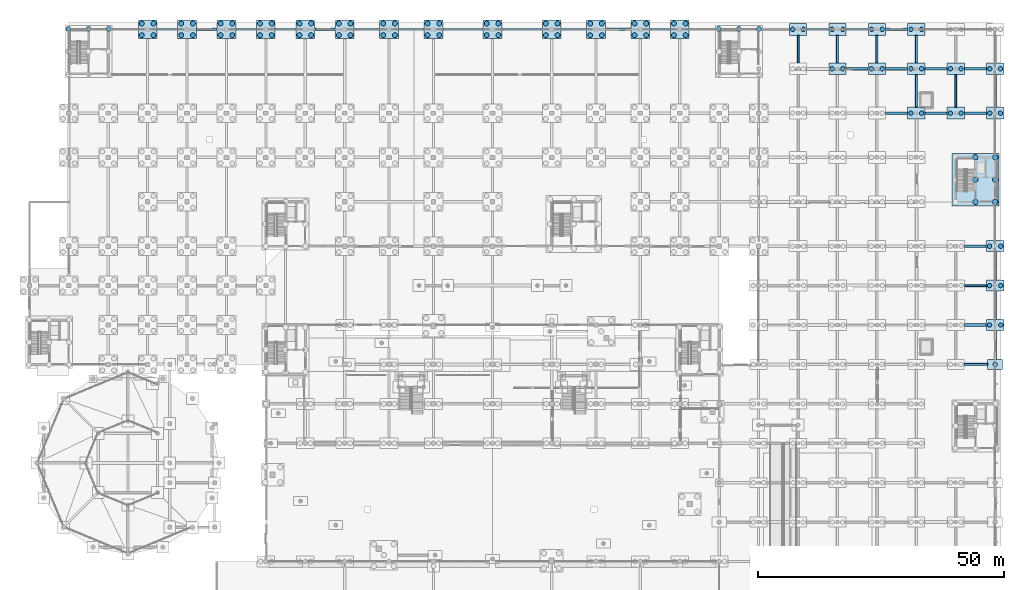
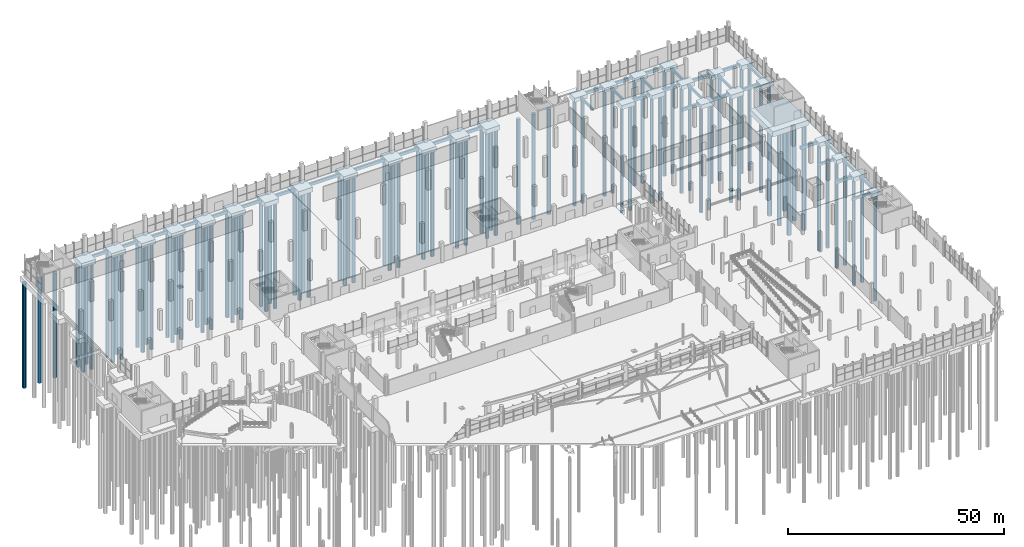
# One storey, part 11 of 98: 95 piles, 66 footings.
"""IFC4 building model written with IfcOpenShell, lengths in metres."""

from ifc_helpers import new_model, si_unit, derived_unit, direction, frame, origin, origin_2d, place, context, subcontext, project, spatial, rectangle, circle, extrude, material, layer, layer_set, material_profile, profile_set, type_object, element, save


model = new_model("IFC4")

# Units and contexts
model_context = context("Model", 3, precision=1e-05, world=origin(), true_north=direction((0.0, 1.0)))
body_context = subcontext(model_context, "Body", "Model", "MODEL_VIEW")
ifc_project = project(units=[si_unit("LENGTHUNIT", "METRE"), si_unit("AREAUNIT", "SQUARE_METRE"), si_unit("VOLUMEUNIT", "CUBIC_METRE"), si_unit("PLANEANGLEUNIT", "RADIAN"), si_unit("MASSUNIT", "GRAM", prefix="KILO"), si_unit("THERMODYNAMICTEMPERATUREUNIT", "KELVIN"), derived_unit("THERMALTRANSMITTANCEUNIT", [(si_unit("POWERUNIT", "WATT"), 1), (si_unit("AREAUNIT", "SQUARE_METRE"), -1), (si_unit("THERMODYNAMICTEMPERATUREUNIT", "KELVIN"), -1)])], contexts=[model_context])

# Site, building, storey
site_placement = place(None, origin())
site = spatial("IfcSite", under=ifc_project, at=site_placement, CompositionType="ELEMENT")
building_placement = place(site_placement, origin())
building = spatial("IfcBuilding", under=site, at=building_placement, Name="Haiyu Intermodal Mobility Hub", CompositionType="ELEMENT")
storey_placement = place(building_placement, origin())
storey = spatial("IfcBuildingStorey", under=building, at=storey_placement, Name="L00", CompositionType="ELEMENT", Elevation=0.0)

# Footings
ifc_material = material(Name="Concrete C40", Category="concrete")
ifc_layer_1 = layer(ifc_material, 1.300048828125)
ifc_layer_set_1 = layer_set([ifc_layer_1], Name="Concrete C40")
footing_type_1 = type_object("IfcFootingType", Name="CAP-PC03", PredefinedType="PILE_CAP", material=ifc_layer_set_1)
for number, where, z_axis, x_axis, name in (
    (1, (38.0, 148.0, -2.2001953125), (0.0, 0.0, 1.0), (1.0, 0.0, 0.0), "Pile Cap CAP-V4-4S"),
    (2, (46.0, 148.0, -2.2001953125), (0.0, 0.0, 1.0), (1.0, 0.0, 0.0), "Pile Cap CAP-V4-5S"),
    (3, (54.0, 148.0, -2.2001953125), (0.0, 0.0, 1.0), (1.0, 0.0, 0.0), "Pile Cap CAP-V4-6S"),
    (4, (62.0, 148.0, -2.2001953125), (0.0, 0.0, 1.0), (1.0, 0.0, 0.0), "Pile Cap CAP-V4-7S"),
    (5, (70.0, 148.0, -2.2001953125), (0.0, 0.0, 1.0), (1.0, 0.0, 0.0), "Pile Cap CAP-V4-8S"),
    (6, (78.0, 148.0, -2.2001953125), (0.0, 0.0, 1.0), (1.0, 0.0, 0.0), "Pile Cap CAP-V4-9S"),
    (7, (87.0, 148.0, -2.2001953125), (0.0, 0.0, 1.0), (1.0, 0.0, 0.0), "Pile Cap CAP-V4-10S"),
    (8, (96.0, 148.0, -2.2001953125), (0.0, 0.0, 1.0), (1.0, 0.0, 0.0), "Pile Cap CAP-V4-11S"),
    (9, (108.0, 148.0, -2.2001953125), (0.0, 0.0, 1.0), (1.0, 0.0, 0.0), "Pile Cap CAP-V4-12S"),
    (10, (120.0, 148.0, -2.2001953125), (0.0, 0.0, 1.0), (1.0, 0.0, 0.0), "Pile Cap CAP-V4-13S"),
    (11, (129.0, 148.0, -2.2001953125), (0.0, 0.0, 1.0), (1.0, 0.0, 0.0), "Pile Cap CAP-V4-14S"),
    (12, (138.0, 148.0, -2.2001953125), (0.0, 0.0, 1.0), (1.0, 0.0, 0.0), "Pile Cap CAP-V4-15S"),
    (13, (146.0, 148.0, -2.2001953125), (0.0, 0.0, 1.0), (1.0, 0.0, 0.0), "Pile Cap CAP-V4-16S"),
):
    element("IfcFooting", number, at=place(storey_placement, frame(where, z_axis=z_axis, x_axis=x_axis)), inside=storey, type_object=footing_type_1, Name=name, PredefinedType="PILE_CAP", context=body_context, shape_type="SweptSolid", body=[
        extrude(rectangle(XDim=3.800048828125, YDim=3.800048828125, at=origin_2d()), origin(), (0.0, 0.0, 1.0), 1.300048828125),
    ])
ifc_layer_2 = layer(ifc_material, 1.199951171875)
ifc_layer_set_2 = layer_set([ifc_layer_2], Name="Concrete C40")
footing_type_2 = type_object("IfcFootingType", Name="CAP-PC04", PredefinedType="PILE_CAP", material=ifc_layer_set_2)
for number, where, z_axis, x_axis, name in (
    (14, (210.0, 88.0, -2.10009765625), (0.0, 0.0, 1.0), (1.0, 0.0, 0.0), "Pile Cap CAP-V6-24K"),
    (15, (210.0, 96.0, -2.10009765625), (0.0, 0.0, 1.0), (1.0, 0.0, 0.0), "Pile Cap CAP-V6-24L"),
    (16, (210.0, 104.0, -2.10009765625), (0.0, 0.0, 1.0), (1.0, 0.0, 0.0), "Pile Cap CAP-V6-24M"),
):
    element("IfcFooting", number, at=place(storey_placement, frame(where, z_axis=z_axis, x_axis=x_axis)), inside=storey, type_object=footing_type_2, Name=name, PredefinedType="PILE_CAP", context=body_context, shape_type="SweptSolid", body=[
        extrude(rectangle(XDim=3.60009765625, YDim=2.199951171875, at=origin_2d()), origin(), (0.0, 0.0, 1.0), 1.199951171875),
    ])
ifc_layer_3 = layer(ifc_material, 1.199951171875)
ifc_layer_set_3 = layer_set([ifc_layer_3], Name="Concrete C40")
footing_type_3 = type_object("IfcFootingType", Name="CAP-PC12", PredefinedType="PILE_CAP", material=ifc_layer_set_3)
for number, where, z_axis, x_axis, name in (
    (17, (170.0, 148.0, -2.10009765625), (0.0, 0.0, 1.0), (1.0, 0.0, 0.0), "Pile Cap CAP-V6-19S"),
    (18, (178.0, 140.0, -2.10009765625), (0.0, 0.0, 1.0), (1.0, 0.0, 0.0), "Pile Cap CAP-V6-20R"),
    (19, (178.0, 148.0, -2.10009765625), (0.0, 0.0, 1.0), (1.0, 0.0, 0.0), "Pile Cap CAP-V6-20S"),
    (20, (186.0, 140.0, -2.10009765625), (0.0, 0.0, 1.0), (1.0, 0.0, 0.0), "Pile Cap CAP-V6-21R"),
    (21, (186.0, 148.0, -2.10009765625), (0.0, 0.0, 1.0), (1.0, 0.0, 0.0), "Pile Cap CAP-V6-21S"),
    (22, (194.0, 131.0, -2.10009765625), (0.0, 0.0, 1.0), (1.0, 0.0, 0.0), "Pile Cap CAP-V6-22Q"),
    (23, (194.0, 140.0, -2.10009765625), (0.0, 0.0, 1.0), (1.0, 0.0, 0.0), "Pile Cap CAP-V6-22R"),
    (24, (194.0, 148.0, -2.10009765625), (0.0, 0.0, 1.0), (1.0, 0.0, 0.0), "Pile Cap CAP-V6-22S"),
    (25, (202.0, 131.0, -2.10009765625), (0.0, 0.0, 1.0), (1.0, 0.0, 0.0), "Pile Cap CAP-V6-23Q"),
    (26, (202.0, 140.0, -2.10009765625), (0.0, 0.0, 1.0), (1.0, 0.0, 0.0), "Pile Cap CAP-V6-23R"),
    (27, (210.0, 131.0, -2.10009765625), (0.0, 0.0, 1.0), (1.0, 0.0, 0.0), "Pile Cap CAP-V6-24Q"),
    (28, (210.0, 140.0, -2.10009765625), (0.0, 0.0, 1.0), (1.0, 0.0, 0.0), "Pile Cap CAP-V6-24R"),
):
    element("IfcFooting", number, at=place(storey_placement, frame(where, z_axis=z_axis, x_axis=x_axis)), inside=storey, type_object=footing_type_3, Name=name, PredefinedType="PILE_CAP", context=body_context, shape_type="SweptSolid", body=[
        extrude(rectangle(XDim=3.5, YDim=2.39990234375, at=origin_2d()), origin(), (0.0, 0.0, 1.0), 1.199951171875),
    ])
ifc_layer_4 = layer(ifc_material, 1.10009765625)
ifc_layer_set_4 = layer_set([ifc_layer_4], Name="Concrete C40")
footing_type_4 = type_object("IfcFootingType", Name="CAP-PC14", PredefinedType="PILE_CAP", material=ifc_layer_set_4)
footing_1_placement = place(storey_placement, frame((210.0, 80.0, -2.0), z_axis=(0.0, 0.0, 1.0), x_axis=(1.0, 0.0, 0.0)))
element("IfcFooting", 29, at=footing_1_placement, inside=storey, type_object=footing_type_4, Name="Pile Cap CAP-V5-24J", PredefinedType="PILE_CAP", context=body_context, shape_type="SweptSolid", body=[
    extrude(rectangle(XDim=3.0, YDim=2.0, at=origin_2d()), origin(), (0.0, 0.0, 1.0), 1.10009765625),
])
ifc_layer_5 = layer(ifc_material, 1.5)
ifc_layer_set_5 = layer_set([ifc_layer_5], Name="Concrete C40")
footing_type_5 = type_object("IfcFootingType", Name="CAP-PC16", PredefinedType="PILE_CAP", material=ifc_layer_set_5)
footing_2_placement = place(storey_placement, frame((206.0, 117.5, -2.39990234375), z_axis=(0.0, 0.0, 1.0), x_axis=(1.0, 0.0, 0.0)))
element("IfcFooting", 30, at=footing_2_placement, inside=storey, type_object=footing_type_5, Name="Pile Cap CAP-CORE-C10", PredefinedType="PILE_CAP", context=body_context, shape_type="SweptSolid", body=[
    extrude(rectangle(XDim=9.60009765625, YDim=10.60009765625, at=origin_2d()), origin(), (0.0, 0.0, 1.0), 1.5),
])
ifc_material_profile_1 = material_profile(ifc_material, rectangle(XDim=0.5, YDim=0.85009765625, at=origin_2d()), Name="FB500x850")
ifc_profile_set_1 = profile_set([ifc_material_profile_1], Name="Concrete C40")
footing_type_6 = type_object("IfcFootingType", Name="FBM-FB01", PredefinedType="FOOTING_BEAM", material=ifc_profile_set_1)
footing_3_placement = place(storey_placement, frame((203.830078125, 104.0, -1.324951171875), z_axis=(1.0, 0.0, 0.0), x_axis=(0.0, 1.0, 0.0)))
element("IfcFooting", 31, at=footing_3_placement, inside=storey, type_object=footing_type_6, Name="Foundation Tie Beam FBM-X-155", PredefinedType="FOOTING_BEAM", context=body_context, shape_type="SweptSolid", body=[
    extrude(rectangle(XDim=0.5, YDim=0.85009765625, at=origin_2d()), origin(), (0.0, 0.0, 1.0), 4.33984375),
])
for number, where, z_axis, x_axis, name in (
    (32, (187.780029296875, 131.0, -1.324951171875), (1.0, 0.0, 0.0), (0.0, 1.0, 0.0), "Foundation Tie Beam FBM-X-204"),
    (33, (195.780029296875, 131.0, -1.324951171875), (1.0, 0.0, 0.0), (0.0, 1.0, 0.0), "Foundation Tie Beam FBM-X-205"),
    (34, (203.780029296875, 131.0, -1.324951171875), (1.0, 0.0, 0.0), (0.0, 1.0, 0.0), "Foundation Tie Beam FBM-X-206"),
    (35, (179.780029296875, 140.0, -1.324951171875), (1.0, 0.0, 0.0), (0.0, 1.0, 0.0), "Foundation Tie Beam FBM-X-208"),
    (36, (187.780029296875, 140.0, -1.324951171875), (1.0, 0.0, 0.0), (0.0, 1.0, 0.0), "Foundation Tie Beam FBM-X-209"),
    (37, (195.780029296875, 140.0, -1.324951171875), (1.0, 0.0, 0.0), (0.0, 1.0, 0.0), "Foundation Tie Beam FBM-X-210"),
    (38, (203.780029296875, 140.0, -1.324951171875), (1.0, 0.0, 0.0), (0.0, 1.0, 0.0), "Foundation Tie Beam FBM-X-211"),
):
    element("IfcFooting", number, at=place(storey_placement, frame(where, z_axis=z_axis, x_axis=x_axis)), inside=storey, type_object=footing_type_6, Name=name, PredefinedType="FOOTING_BEAM", context=body_context, shape_type="SweptSolid", body=[
        extrude(rectangle(XDim=0.5, YDim=0.85009765625, at=origin_2d()), origin(), (0.0, 0.0, 1.0), 4.43994140625),
    ])
for number, where, z_axis, x_axis, name in (
    (39, (39.929931640625, 148.0, -1.324951171875), (1.0, 0.0, 0.0), (0.0, 1.0, 0.0), "Foundation Tie Beam FBM-X-212"),
    (40, (47.929931640625, 148.0, -1.324951171875), (1.0, 0.0, 0.0), (0.0, 1.0, 0.0), "Foundation Tie Beam FBM-X-213"),
    (41, (55.929931640625, 148.0, -1.324951171875), (1.0, 0.0, 0.0), (0.0, 1.0, 0.0), "Foundation Tie Beam FBM-X-214"),
    (42, (63.929931640625, 148.0, -1.324951171875), (1.0, 0.0, 0.0), (0.0, 1.0, 0.0), "Foundation Tie Beam FBM-X-215"),
    (43, (71.929931640625, 148.0, -1.324951171875), (1.0, 0.0, 0.0), (0.0, 1.0, 0.0), "Foundation Tie Beam FBM-X-216"),
):
    element("IfcFooting", number, at=place(storey_placement, frame(where, z_axis=z_axis, x_axis=x_axis)), inside=storey, type_object=footing_type_6, Name=name, PredefinedType="FOOTING_BEAM", context=body_context, shape_type="SweptSolid", body=[
        extrude(rectangle(XDim=0.5, YDim=0.85009765625, at=origin_2d()), origin(), (0.0, 0.0, 1.0), 4.14013671875),
    ])
for number, where, z_axis, x_axis, name in (
    (44, (79.929931640625, 148.0, -1.324951171875), (1.0, 0.0, 0.0), (0.0, 1.0, 0.0), "Foundation Tie Beam FBM-X-217"),
    (45, (88.929931640625, 148.0, -1.324951171875), (1.0, 0.0, 0.0), (0.0, 1.0, 0.0), "Foundation Tie Beam FBM-X-218"),
):
    element("IfcFooting", number, at=place(storey_placement, frame(where, z_axis=z_axis, x_axis=x_axis)), inside=storey, type_object=footing_type_6, Name=name, PredefinedType="FOOTING_BEAM", context=body_context, shape_type="SweptSolid", body=[
        extrude(rectangle(XDim=0.5, YDim=0.85009765625, at=origin_2d()), origin(), (0.0, 0.0, 1.0), 5.14013671875),
    ])
for number, where, z_axis, x_axis, name in (
    (46, (97.929931640625, 148.0, -1.324951171875), (1.0, 0.0, 0.0), (0.0, 1.0, 0.0), "Foundation Tie Beam FBM-X-219"),
    (47, (109.929931640625, 148.0, -1.324951171875), (1.0, 0.0, 0.0), (0.0, 1.0, 0.0), "Foundation Tie Beam FBM-X-220"),
):
    element("IfcFooting", number, at=place(storey_placement, frame(where, z_axis=z_axis, x_axis=x_axis)), inside=storey, type_object=footing_type_6, Name=name, PredefinedType="FOOTING_BEAM", context=body_context, shape_type="SweptSolid", body=[
        extrude(rectangle(XDim=0.5, YDim=0.85009765625, at=origin_2d()), origin(), (0.0, 0.0, 1.0), 8.14013671875),
    ])
for number, where, z_axis, x_axis, name in (
    (48, (121.929931640625, 148.0, -1.324951171875), (1.0, 0.0, 0.0), (0.0, 1.0, 0.0), "Foundation Tie Beam FBM-X-221"),
    (49, (130.929931640625, 148.0, -1.324951171875), (1.0, 0.0, 0.0), (0.0, 1.0, 0.0), "Foundation Tie Beam FBM-X-222"),
):
    element("IfcFooting", number, at=place(storey_placement, frame(where, z_axis=z_axis, x_axis=x_axis)), inside=storey, type_object=footing_type_6, Name=name, PredefinedType="FOOTING_BEAM", context=body_context, shape_type="SweptSolid", body=[
        extrude(rectangle(XDim=0.5, YDim=0.85009765625, at=origin_2d()), origin(), (0.0, 0.0, 1.0), 5.14013671875),
    ])
footing_4_placement = place(storey_placement, frame((139.929931640625, 148.0, -1.324951171875), z_axis=(1.0, 0.0, 0.0), x_axis=(0.0, 1.0, 0.0)))
element("IfcFooting", 50, at=footing_4_placement, inside=storey, type_object=footing_type_6, Name="Foundation Tie Beam FBM-X-223", PredefinedType="FOOTING_BEAM", context=body_context, shape_type="SweptSolid", body=[
    extrude(rectangle(XDim=0.5, YDim=0.85009765625, at=origin_2d()), origin(), (0.0, 0.0, 1.0), 4.14013671875),
])
for number, where, z_axis, x_axis, name in (
    (51, (171.780029296875, 148.0, -1.324951171875), (1.0, 0.0, 0.0), (0.0, 1.0, 0.0), "Foundation Tie Beam FBM-X-224"),
    (52, (179.780029296875, 148.0, -1.324951171875), (1.0, 0.0, 0.0), (0.0, 1.0, 0.0), "Foundation Tie Beam FBM-X-225"),
    (53, (187.780029296875, 148.0, -1.324951171875), (1.0, 0.0, 0.0), (0.0, 1.0, 0.0), "Foundation Tie Beam FBM-X-226"),
):
    element("IfcFooting", number, at=place(storey_placement, frame(where, z_axis=z_axis, x_axis=x_axis)), inside=storey, type_object=footing_type_6, Name=name, PredefinedType="FOOTING_BEAM", context=body_context, shape_type="SweptSolid", body=[
        extrude(rectangle(XDim=0.5, YDim=0.85009765625, at=origin_2d()), origin(), (0.0, 0.0, 1.0), 4.43994140625),
    ])
ifc_material_profile_2 = material_profile(ifc_material, rectangle(XDim=0.39990234375, YDim=0.699951171875, at=origin_2d()), Name="FB400x700")
ifc_profile_set_2 = profile_set([ifc_material_profile_2], Name="Concrete C40")
footing_type_7 = type_object("IfcFootingType", Name="FBM-FB03", PredefinedType="FOOTING_BEAM", material=ifc_profile_set_2)
footing_5_placement = place(storey_placement, frame((203.72998046875, 80.0, -1.25), z_axis=(1.0, 0.0, 0.0), x_axis=(0.0, 1.0, 0.0)))
element("IfcFooting", 54, at=footing_5_placement, inside=storey, type_object=footing_type_7, Name="Foundation Tie Beam FBM-X-113", PredefinedType="FOOTING_BEAM", context=body_context, shape_type="SweptSolid", body=[
    extrude(rectangle(XDim=0.39990234375, YDim=0.699951171875, at=origin_2d()), origin(), (0.0, 0.0, 1.0), 4.739990234375),
])
footing_6_placement = place(storey_placement, frame((203.830078125, 96.0, -1.25), z_axis=(1.0, 0.0, 0.0), x_axis=(0.0, 1.0, 0.0)))
element("IfcFooting", 55, at=footing_6_placement, inside=storey, type_object=footing_type_7, Name="Foundation Tie Beam FBM-X-139", PredefinedType="FOOTING_BEAM", context=body_context, shape_type="SweptSolid", body=[
    extrude(rectangle(XDim=0.39990234375, YDim=0.699951171875, at=origin_2d()), origin(), (0.0, 0.0, 1.0), 4.33984375),
])
for number, where, z_axis, x_axis, name in (
    (56, (170.0, 141.22998046875, -1.25), (0.0, 1.0, 0.0), (-1.0, 0.0, 0.0), "Foundation Tie Beam FBM-Y-379"),
    (57, (178.0, 141.22998046875, -1.25), (0.0, 1.0, 0.0), (-1.0, 0.0, 0.0), "Foundation Tie Beam FBM-Y-395"),
    (58, (186.0, 141.22998046875, -1.25), (0.0, 1.0, 0.0), (-1.0, 0.0, 0.0), "Foundation Tie Beam FBM-Y-411"),
):
    element("IfcFooting", number, at=place(storey_placement, frame(where, z_axis=z_axis, x_axis=x_axis)), inside=storey, type_object=footing_type_7, Name=name, PredefinedType="FOOTING_BEAM", context=body_context, shape_type="SweptSolid", body=[
        extrude(rectangle(XDim=0.39990234375, YDim=0.699951171875, at=origin_2d()), origin(), (0.0, 0.0, 1.0), 5.5400390625),
    ])
footing_7_placement = place(storey_placement, frame((194.0, 132.22998046875, -1.25), z_axis=(0.0, 1.0, 0.0), x_axis=(-1.0, 0.0, 0.0)))
element("IfcFooting", 59, at=footing_7_placement, inside=storey, type_object=footing_type_7, Name="Foundation Tie Beam FBM-Y-426", PredefinedType="FOOTING_BEAM", context=body_context, shape_type="SweptSolid", body=[
    extrude(rectangle(XDim=0.39990234375, YDim=0.699951171875, at=origin_2d()), origin(), (0.0, 0.0, 1.0), 6.5400390625),
])
footing_8_placement = place(storey_placement, frame((194.0, 141.22998046875, -1.25), z_axis=(0.0, 1.0, 0.0), x_axis=(-1.0, 0.0, 0.0)))
element("IfcFooting", 60, at=footing_8_placement, inside=storey, type_object=footing_type_7, Name="Foundation Tie Beam FBM-Y-427", PredefinedType="FOOTING_BEAM", context=body_context, shape_type="SweptSolid", body=[
    extrude(rectangle(XDim=0.39990234375, YDim=0.699951171875, at=origin_2d()), origin(), (0.0, 0.0, 1.0), 5.5400390625),
])
footing_9_placement = place(storey_placement, frame((202.0, 132.22998046875, -1.25), z_axis=(0.0, 1.0, 0.0), x_axis=(-1.0, 0.0, 0.0)))
element("IfcFooting", 61, at=footing_9_placement, inside=storey, type_object=footing_type_7, Name="Foundation Tie Beam FBM-Y-436", PredefinedType="FOOTING_BEAM", context=body_context, shape_type="SweptSolid", body=[
    extrude(rectangle(XDim=0.39990234375, YDim=0.699951171875, at=origin_2d()), origin(), (0.0, 0.0, 1.0), 6.5400390625),
])
footing_10_placement = place(storey_placement, frame((210.0, 81.030029296875, -1.25), z_axis=(0.0, 1.0, 0.0), x_axis=(-1.0, 0.0, 0.0)))
element("IfcFooting", 62, at=footing_10_placement, inside=storey, type_object=footing_type_7, Name="Foundation Tie Beam FBM-Y-442", PredefinedType="FOOTING_BEAM", context=body_context, shape_type="SweptSolid", body=[
    extrude(rectangle(XDim=0.39990234375, YDim=0.699951171875, at=origin_2d()), origin(), (0.0, 0.0, 1.0), 5.840087890625),
])
for number, where, z_axis, x_axis, name in (
    (63, (210.0, 89.1298828125, -1.25), (0.0, 1.0, 0.0), (-1.0, 0.0, 0.0), "Foundation Tie Beam FBM-Y-443"),
    (64, (210.0, 97.1298828125, -1.25), (0.0, 1.0, 0.0), (-1.0, 0.0, 0.0), "Foundation Tie Beam FBM-Y-444"),
):
    element("IfcFooting", number, at=place(storey_placement, frame(where, z_axis=z_axis, x_axis=x_axis)), inside=storey, type_object=footing_type_7, Name=name, PredefinedType="FOOTING_BEAM", context=body_context, shape_type="SweptSolid", body=[
        extrude(rectangle(XDim=0.39990234375, YDim=0.699951171875, at=origin_2d()), origin(), (0.0, 0.0, 1.0), 5.740234375),
    ])
footing_11_placement = place(storey_placement, frame((210.0, 132.22998046875, -1.25), z_axis=(0.0, 1.0, 0.0), x_axis=(-1.0, 0.0, 0.0)))
element("IfcFooting", 65, at=footing_11_placement, inside=storey, type_object=footing_type_7, Name="Foundation Tie Beam FBM-Y-445", PredefinedType="FOOTING_BEAM", context=body_context, shape_type="SweptSolid", body=[
    extrude(rectangle(XDim=0.39990234375, YDim=0.699951171875, at=origin_2d()), origin(), (0.0, 0.0, 1.0), 6.5400390625),
])
ifc_material_profile_3 = material_profile(ifc_material, rectangle(XDim=0.550048828125, YDim=0.949951171875, at=origin_2d()), Name="FB550x950")
ifc_profile_set_3 = profile_set([ifc_material_profile_3], Name="Concrete C40")
footing_type_8 = type_object("IfcFootingType", Name="FBM-FB04", PredefinedType="FOOTING_BEAM", material=ifc_profile_set_3)
footing_12_placement = place(storey_placement, frame((203.830078125, 88.0, -1.375), z_axis=(1.0, 0.0, 0.0), x_axis=(0.0, 1.0, 0.0)))
element("IfcFooting", 66, at=footing_12_placement, inside=storey, type_object=footing_type_8, Name="Foundation Tie Beam FBM-X-124", PredefinedType="FOOTING_BEAM", context=body_context, shape_type="SweptSolid", body=[
    extrude(rectangle(XDim=0.550048828125, YDim=0.949951171875, at=origin_2d()), origin(), (0.0, 0.0, 1.0), 4.33984375),
])

# Piles
ifc_material_profile_4 = material_profile(ifc_material, circle(Radius=0.550048828125, at=origin_2d()), Name="PILE-D1100")
ifc_profile_set_4 = profile_set([ifc_material_profile_4], Name="Concrete C40")
pile_type_1 = type_object("IfcPileType", Name="PILE-PL01", PredefinedType="BORED", material=ifc_profile_set_4)
for number, where, z_axis, x_axis, name in (
    (67, (206.0, 112.969970703125, -2.300048828125), (0.0, 0.0, -1.0), (1.0, 0.0, 0.0), "Bored Pile CAP-CORE-C10-P4"),
    (68, (206.0, 117.5, -2.300048828125), (0.0, 0.0, -1.0), (1.0, 0.0, 0.0), "Bored Pile CAP-CORE-C10-P5"),
    (69, (206.0, 122.030029296875, -2.300048828125), (0.0, 0.0, -1.0), (1.0, 0.0, 0.0), "Bored Pile CAP-CORE-C10-P6"),
    (70, (210.030029296875, 112.969970703125, -2.300048828125), (0.0, 0.0, -1.0), (1.0, 0.0, 0.0), "Bored Pile CAP-CORE-C10-P7"),
    (71, (210.030029296875, 117.5, -2.300048828125), (0.0, 0.0, -1.0), (1.0, 0.0, 0.0), "Bored Pile CAP-CORE-C10-P8"),
    (72, (210.030029296875, 122.030029296875, -2.300048828125), (0.0, 0.0, -1.0), (1.0, 0.0, 0.0), "Bored Pile CAP-CORE-C10-P9"),
):
    element("IfcPile", number, at=place(storey_placement, frame(where, z_axis=z_axis, x_axis=x_axis)), inside=storey, type_object=pile_type_1, Name=name, PredefinedType="BORED", context=body_context, shape_type="SweptSolid", body=[
        extrude(circle(Radius=0.550048828125, at=origin_2d()), origin(), (0.0, 0.0, 1.0), 29.699951171875),
    ])
ifc_material_profile_5 = material_profile(ifc_material, circle(Radius=0.5, at=origin_2d()), Name="PILE-D1000")
ifc_profile_set_5 = profile_set([ifc_material_profile_5], Name="Concrete C40")
pile_type_2 = type_object("IfcPileType", Name="PILE-PL02", PredefinedType="BORED", material=ifc_profile_set_5)
for number, where, z_axis, x_axis, name in (
    (73, (21.919921875, 148.080078125, -2.300048828125), (0.0, 0.0, -1.0), (1.0, 0.0, 0.0), "Bored Pile CAP-CORE-C3-P3"),
    (74, (26.0, 148.080078125, -2.300048828125), (0.0, 0.0, -1.0), (1.0, 0.0, 0.0), "Bored Pile CAP-CORE-C3-P6"),
    (75, (30.080078125, 148.080078125, -2.300048828125), (0.0, 0.0, -1.0), (1.0, 0.0, 0.0), "Bored Pile CAP-CORE-C3-P9"),
    (76, (153.919921875, 148.080078125, -2.300048828125), (0.0, 0.0, -1.0), (1.0, 0.0, 0.0), "Bored Pile CAP-CORE-C4-P3"),
    (77, (158.0, 148.080078125, -2.300048828125), (0.0, 0.0, -1.0), (1.0, 0.0, 0.0), "Bored Pile CAP-CORE-C4-P6"),
    (78, (162.080078125, 148.080078125, -2.300048828125), (0.0, 0.0, -1.0), (1.0, 0.0, 0.0), "Bored Pile CAP-CORE-C4-P9"),
):
    element("IfcPile", number, at=place(storey_placement, frame(where, z_axis=z_axis, x_axis=x_axis)), inside=storey, type_object=pile_type_2, Name=name, PredefinedType="BORED", context=body_context, shape_type="SweptSolid", body=[
        extrude(circle(Radius=0.5, at=origin_2d()), origin(), (0.0, 0.0, 1.0), 29.699951171875),
    ])
for number, where, z_axis, x_axis, name in (
    (79, (36.820068359375, 146.820068359375, -2.10009765625), (0.0, 0.0, -1.0), (1.0, 0.0, 0.0), "Bored Pile CAP-V4-4S-P1"),
    (80, (39.179931640625, 146.820068359375, -2.10009765625), (0.0, 0.0, -1.0), (1.0, 0.0, 0.0), "Bored Pile CAP-V4-4S-P2"),
    (81, (36.820068359375, 149.179931640625, -2.10009765625), (0.0, 0.0, -1.0), (1.0, 0.0, 0.0), "Bored Pile CAP-V4-4S-P3"),
    (82, (39.179931640625, 149.179931640625, -2.10009765625), (0.0, 0.0, -1.0), (1.0, 0.0, 0.0), "Bored Pile CAP-V4-4S-P4"),
    (83, (44.820068359375, 146.820068359375, -2.10009765625), (0.0, 0.0, -1.0), (1.0, 0.0, 0.0), "Bored Pile CAP-V4-5S-P1"),
    (84, (47.179931640625, 146.820068359375, -2.10009765625), (0.0, 0.0, -1.0), (1.0, 0.0, 0.0), "Bored Pile CAP-V4-5S-P2"),
    (85, (44.820068359375, 149.179931640625, -2.10009765625), (0.0, 0.0, -1.0), (1.0, 0.0, 0.0), "Bored Pile CAP-V4-5S-P3"),
    (86, (47.179931640625, 149.179931640625, -2.10009765625), (0.0, 0.0, -1.0), (1.0, 0.0, 0.0), "Bored Pile CAP-V4-5S-P4"),
    (87, (52.820068359375, 146.820068359375, -2.10009765625), (0.0, 0.0, -1.0), (1.0, 0.0, 0.0), "Bored Pile CAP-V4-6S-P1"),
    (88, (55.179931640625, 146.820068359375, -2.10009765625), (0.0, 0.0, -1.0), (1.0, 0.0, 0.0), "Bored Pile CAP-V4-6S-P2"),
    (89, (52.820068359375, 149.179931640625, -2.10009765625), (0.0, 0.0, -1.0), (1.0, 0.0, 0.0), "Bored Pile CAP-V4-6S-P3"),
    (90, (55.179931640625, 149.179931640625, -2.10009765625), (0.0, 0.0, -1.0), (1.0, 0.0, 0.0), "Bored Pile CAP-V4-6S-P4"),
    (91, (60.820068359375, 146.820068359375, -2.10009765625), (0.0, 0.0, -1.0), (1.0, 0.0, 0.0), "Bored Pile CAP-V4-7S-P1"),
    (92, (63.179931640625, 146.820068359375, -2.10009765625), (0.0, 0.0, -1.0), (1.0, 0.0, 0.0), "Bored Pile CAP-V4-7S-P2"),
    (93, (60.820068359375, 149.179931640625, -2.10009765625), (0.0, 0.0, -1.0), (1.0, 0.0, 0.0), "Bored Pile CAP-V4-7S-P3"),
    (94, (63.179931640625, 149.179931640625, -2.10009765625), (0.0, 0.0, -1.0), (1.0, 0.0, 0.0), "Bored Pile CAP-V4-7S-P4"),
    (95, (68.820068359375, 146.820068359375, -2.10009765625), (0.0, 0.0, -1.0), (1.0, 0.0, 0.0), "Bored Pile CAP-V4-8S-P1"),
    (96, (71.179931640625, 146.820068359375, -2.10009765625), (0.0, 0.0, -1.0), (1.0, 0.0, 0.0), "Bored Pile CAP-V4-8S-P2"),
    (97, (68.820068359375, 149.179931640625, -2.10009765625), (0.0, 0.0, -1.0), (1.0, 0.0, 0.0), "Bored Pile CAP-V4-8S-P3"),
    (98, (71.179931640625, 149.179931640625, -2.10009765625), (0.0, 0.0, -1.0), (1.0, 0.0, 0.0), "Bored Pile CAP-V4-8S-P4"),
    (99, (76.820068359375, 146.820068359375, -2.10009765625), (0.0, 0.0, -1.0), (1.0, 0.0, 0.0), "Bored Pile CAP-V4-9S-P1"),
    (100, (79.179931640625, 146.820068359375, -2.10009765625), (0.0, 0.0, -1.0), (1.0, 0.0, 0.0), "Bored Pile CAP-V4-9S-P2"),
    (101, (76.820068359375, 149.179931640625, -2.10009765625), (0.0, 0.0, -1.0), (1.0, 0.0, 0.0), "Bored Pile CAP-V4-9S-P3"),
    (102, (79.179931640625, 149.179931640625, -2.10009765625), (0.0, 0.0, -1.0), (1.0, 0.0, 0.0), "Bored Pile CAP-V4-9S-P4"),
    (103, (85.820068359375, 146.820068359375, -2.10009765625), (0.0, 0.0, -1.0), (1.0, 0.0, 0.0), "Bored Pile CAP-V4-10S-P1"),
    (104, (88.179931640625, 146.820068359375, -2.10009765625), (0.0, 0.0, -1.0), (1.0, 0.0, 0.0), "Bored Pile CAP-V4-10S-P2"),
    (105, (85.820068359375, 149.179931640625, -2.10009765625), (0.0, 0.0, -1.0), (1.0, 0.0, 0.0), "Bored Pile CAP-V4-10S-P3"),
    (106, (88.179931640625, 149.179931640625, -2.10009765625), (0.0, 0.0, -1.0), (1.0, 0.0, 0.0), "Bored Pile CAP-V4-10S-P4"),
    (107, (94.820068359375, 146.820068359375, -2.10009765625), (0.0, 0.0, -1.0), (1.0, 0.0, 0.0), "Bored Pile CAP-V4-11S-P1"),
    (108, (97.179931640625, 146.820068359375, -2.10009765625), (0.0, 0.0, -1.0), (1.0, 0.0, 0.0), "Bored Pile CAP-V4-11S-P2"),
    (109, (94.820068359375, 149.179931640625, -2.10009765625), (0.0, 0.0, -1.0), (1.0, 0.0, 0.0), "Bored Pile CAP-V4-11S-P3"),
    (110, (97.179931640625, 149.179931640625, -2.10009765625), (0.0, 0.0, -1.0), (1.0, 0.0, 0.0), "Bored Pile CAP-V4-11S-P4"),
    (111, (106.820068359375, 146.820068359375, -2.10009765625), (0.0, 0.0, -1.0), (1.0, 0.0, 0.0), "Bored Pile CAP-V4-12S-P1"),
    (112, (109.179931640625, 146.820068359375, -2.10009765625), (0.0, 0.0, -1.0), (1.0, 0.0, 0.0), "Bored Pile CAP-V4-12S-P2"),
    (113, (106.820068359375, 149.179931640625, -2.10009765625), (0.0, 0.0, -1.0), (1.0, 0.0, 0.0), "Bored Pile CAP-V4-12S-P3"),
    (114, (109.179931640625, 149.179931640625, -2.10009765625), (0.0, 0.0, -1.0), (1.0, 0.0, 0.0), "Bored Pile CAP-V4-12S-P4"),
    (115, (118.820068359375, 146.820068359375, -2.10009765625), (0.0, 0.0, -1.0), (1.0, 0.0, 0.0), "Bored Pile CAP-V4-13S-P1"),
    (116, (121.179931640625, 146.820068359375, -2.10009765625), (0.0, 0.0, -1.0), (1.0, 0.0, 0.0), "Bored Pile CAP-V4-13S-P2"),
    (117, (118.820068359375, 149.179931640625, -2.10009765625), (0.0, 0.0, -1.0), (1.0, 0.0, 0.0), "Bored Pile CAP-V4-13S-P3"),
    (118, (121.179931640625, 149.179931640625, -2.10009765625), (0.0, 0.0, -1.0), (1.0, 0.0, 0.0), "Bored Pile CAP-V4-13S-P4"),
    (119, (127.820068359375, 146.820068359375, -2.10009765625), (0.0, 0.0, -1.0), (1.0, 0.0, 0.0), "Bored Pile CAP-V4-14S-P1"),
    (120, (130.179931640625, 146.820068359375, -2.10009765625), (0.0, 0.0, -1.0), (1.0, 0.0, 0.0), "Bored Pile CAP-V4-14S-P2"),
    (121, (127.820068359375, 149.179931640625, -2.10009765625), (0.0, 0.0, -1.0), (1.0, 0.0, 0.0), "Bored Pile CAP-V4-14S-P3"),
    (122, (130.179931640625, 149.179931640625, -2.10009765625), (0.0, 0.0, -1.0), (1.0, 0.0, 0.0), "Bored Pile CAP-V4-14S-P4"),
    (123, (136.820068359375, 146.820068359375, -2.10009765625), (0.0, 0.0, -1.0), (1.0, 0.0, 0.0), "Bored Pile CAP-V4-15S-P1"),
    (124, (139.179931640625, 146.820068359375, -2.10009765625), (0.0, 0.0, -1.0), (1.0, 0.0, 0.0), "Bored Pile CAP-V4-15S-P2"),
    (125, (136.820068359375, 149.179931640625, -2.10009765625), (0.0, 0.0, -1.0), (1.0, 0.0, 0.0), "Bored Pile CAP-V4-15S-P3"),
    (126, (139.179931640625, 149.179931640625, -2.10009765625), (0.0, 0.0, -1.0), (1.0, 0.0, 0.0), "Bored Pile CAP-V4-15S-P4"),
    (127, (144.820068359375, 146.820068359375, -2.10009765625), (0.0, 0.0, -1.0), (1.0, 0.0, 0.0), "Bored Pile CAP-V4-16S-P1"),
    (128, (147.179931640625, 146.820068359375, -2.10009765625), (0.0, 0.0, -1.0), (1.0, 0.0, 0.0), "Bored Pile CAP-V4-16S-P2"),
    (129, (144.820068359375, 149.179931640625, -2.10009765625), (0.0, 0.0, -1.0), (1.0, 0.0, 0.0), "Bored Pile CAP-V4-16S-P3"),
    (130, (147.179931640625, 149.179931640625, -2.10009765625), (0.0, 0.0, -1.0), (1.0, 0.0, 0.0), "Bored Pile CAP-V4-16S-P4"),
):
    element("IfcPile", number, at=place(storey_placement, frame(where, z_axis=z_axis, x_axis=x_axis)), inside=storey, type_object=pile_type_2, Name=name, PredefinedType="BORED", context=body_context, shape_type="SweptSolid", body=[
        extrude(circle(Radius=0.5, at=origin_2d()), origin(), (0.0, 0.0, 1.0), 29.89990234375),
    ])
ifc_material_profile_6 = material_profile(ifc_material, circle(Radius=0.449951171875, at=origin_2d()), Name="PILE-D900")
ifc_profile_set_6 = profile_set([ifc_material_profile_6], Name="Concrete C40")
pile_type_3 = type_object("IfcPileType", Name="PILE-PL03", PredefinedType="BORED", material=ifc_profile_set_6)
pile_placement = place(storey_placement, frame((210.0, 80.0, -1.89990234375), z_axis=(0.0, 0.0, -1.0), x_axis=(1.0, 0.0, 0.0)))
element("IfcPile", 131, at=pile_placement, inside=storey, type_object=pile_type_3, Name="Bored Pile CAP-V5-24J-P1", PredefinedType="BORED", context=body_context, shape_type="SweptSolid", body=[
    extrude(circle(Radius=0.449951171875, at=origin_2d()), origin(), (0.0, 0.0, 1.0), 30.10009765625),
])
for number, where, z_axis, x_axis, name in (
    (132, (168.919921875, 148.0, -2.0), (0.0, 0.0, -1.0), (1.0, 0.0, 0.0), "Bored Pile CAP-V6-19S-P1"),
    (133, (171.080078125, 148.0, -2.0), (0.0, 0.0, -1.0), (1.0, 0.0, 0.0), "Bored Pile CAP-V6-19S-P2"),
    (134, (176.919921875, 140.0, -2.0), (0.0, 0.0, -1.0), (1.0, 0.0, 0.0), "Bored Pile CAP-V6-20R-P1"),
    (135, (179.080078125, 140.0, -2.0), (0.0, 0.0, -1.0), (1.0, 0.0, 0.0), "Bored Pile CAP-V6-20R-P2"),
    (136, (176.919921875, 148.0, -2.0), (0.0, 0.0, -1.0), (1.0, 0.0, 0.0), "Bored Pile CAP-V6-20S-P1"),
    (137, (179.080078125, 148.0, -2.0), (0.0, 0.0, -1.0), (1.0, 0.0, 0.0), "Bored Pile CAP-V6-20S-P2"),
    (138, (184.919921875, 140.0, -2.0), (0.0, 0.0, -1.0), (1.0, 0.0, 0.0), "Bored Pile CAP-V6-21R-P1"),
    (139, (187.080078125, 140.0, -2.0), (0.0, 0.0, -1.0), (1.0, 0.0, 0.0), "Bored Pile CAP-V6-21R-P2"),
    (140, (184.919921875, 148.0, -2.0), (0.0, 0.0, -1.0), (1.0, 0.0, 0.0), "Bored Pile CAP-V6-21S-P1"),
    (141, (187.080078125, 148.0, -2.0), (0.0, 0.0, -1.0), (1.0, 0.0, 0.0), "Bored Pile CAP-V6-21S-P2"),
    (142, (192.919921875, 131.0, -2.0), (0.0, 0.0, -1.0), (1.0, 0.0, 0.0), "Bored Pile CAP-V6-22Q-P1"),
    (143, (195.080078125, 131.0, -2.0), (0.0, 0.0, -1.0), (1.0, 0.0, 0.0), "Bored Pile CAP-V6-22Q-P2"),
    (144, (192.919921875, 140.0, -2.0), (0.0, 0.0, -1.0), (1.0, 0.0, 0.0), "Bored Pile CAP-V6-22R-P1"),
    (145, (195.080078125, 140.0, -2.0), (0.0, 0.0, -1.0), (1.0, 0.0, 0.0), "Bored Pile CAP-V6-22R-P2"),
    (146, (192.919921875, 148.0, -2.0), (0.0, 0.0, -1.0), (1.0, 0.0, 0.0), "Bored Pile CAP-V6-22S-P1"),
    (147, (195.080078125, 148.0, -2.0), (0.0, 0.0, -1.0), (1.0, 0.0, 0.0), "Bored Pile CAP-V6-22S-P2"),
    (148, (200.919921875, 131.0, -2.0), (0.0, 0.0, -1.0), (1.0, 0.0, 0.0), "Bored Pile CAP-V6-23Q-P1"),
    (149, (203.080078125, 131.0, -2.0), (0.0, 0.0, -1.0), (1.0, 0.0, 0.0), "Bored Pile CAP-V6-23Q-P2"),
    (150, (200.919921875, 140.0, -2.0), (0.0, 0.0, -1.0), (1.0, 0.0, 0.0), "Bored Pile CAP-V6-23R-P1"),
    (151, (203.080078125, 140.0, -2.0), (0.0, 0.0, -1.0), (1.0, 0.0, 0.0), "Bored Pile CAP-V6-23R-P2"),
    (152, (208.8701171875, 88.0, -2.0), (0.0, 0.0, -1.0), (1.0, 0.0, 0.0), "Bored Pile CAP-V6-24K-P1"),
    (153, (211.1298828125, 88.0, -2.0), (0.0, 0.0, -1.0), (1.0, 0.0, 0.0), "Bored Pile CAP-V6-24K-P2"),
    (154, (208.8701171875, 96.0, -2.0), (0.0, 0.0, -1.0), (1.0, 0.0, 0.0), "Bored Pile CAP-V6-24L-P1"),
    (155, (211.1298828125, 96.0, -2.0), (0.0, 0.0, -1.0), (1.0, 0.0, 0.0), "Bored Pile CAP-V6-24L-P2"),
    (156, (208.8701171875, 104.0, -2.0), (0.0, 0.0, -1.0), (1.0, 0.0, 0.0), "Bored Pile CAP-V6-24M-P1"),
    (157, (211.1298828125, 104.0, -2.0), (0.0, 0.0, -1.0), (1.0, 0.0, 0.0), "Bored Pile CAP-V6-24M-P2"),
    (158, (208.919921875, 131.0, -2.0), (0.0, 0.0, -1.0), (1.0, 0.0, 0.0), "Bored Pile CAP-V6-24Q-P1"),
    (159, (211.080078125, 131.0, -2.0), (0.0, 0.0, -1.0), (1.0, 0.0, 0.0), "Bored Pile CAP-V6-24Q-P2"),
    (160, (208.919921875, 140.0, -2.0), (0.0, 0.0, -1.0), (1.0, 0.0, 0.0), "Bored Pile CAP-V6-24R-P1"),
    (161, (211.080078125, 140.0, -2.0), (0.0, 0.0, -1.0), (1.0, 0.0, 0.0), "Bored Pile CAP-V6-24R-P2"),
):
    element("IfcPile", number, at=place(storey_placement, frame(where, z_axis=z_axis, x_axis=x_axis)), inside=storey, type_object=pile_type_3, Name=name, PredefinedType="BORED", context=body_context, shape_type="SweptSolid", body=[
        extrude(circle(Radius=0.449951171875, at=origin_2d()), origin(), (0.0, 0.0, 1.0), 30.0),
    ])

save(model, "model.ifc")
